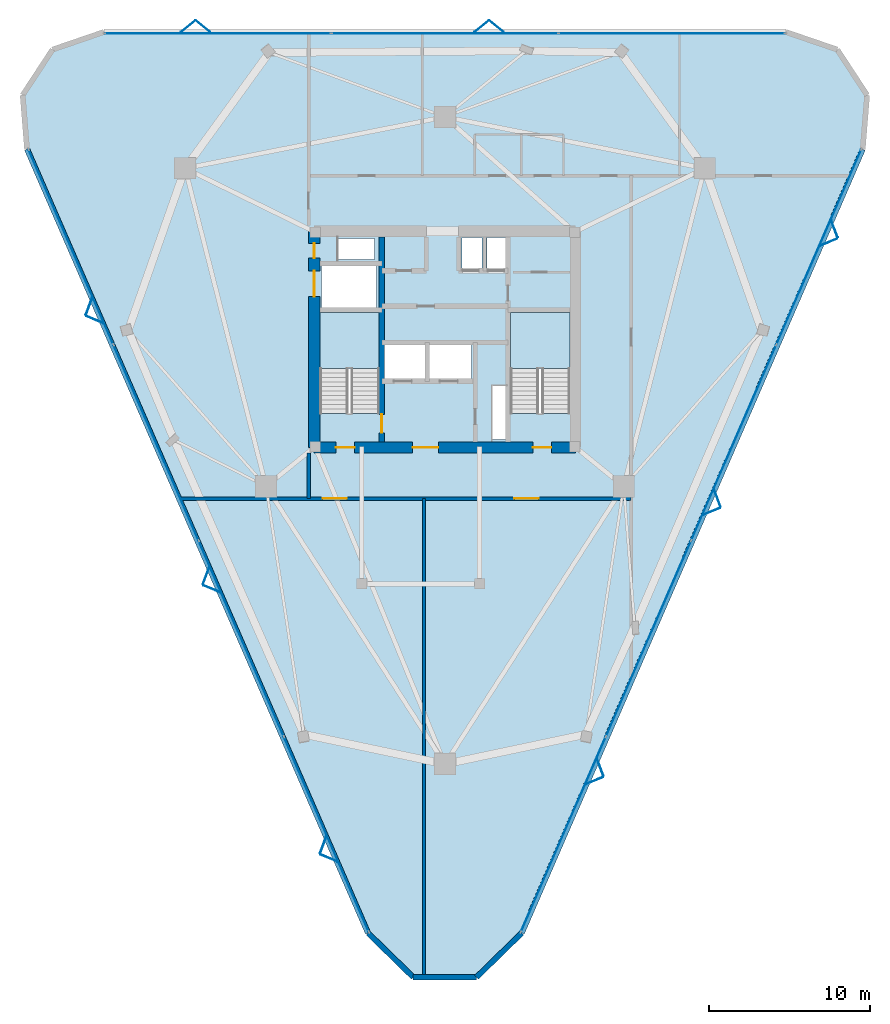
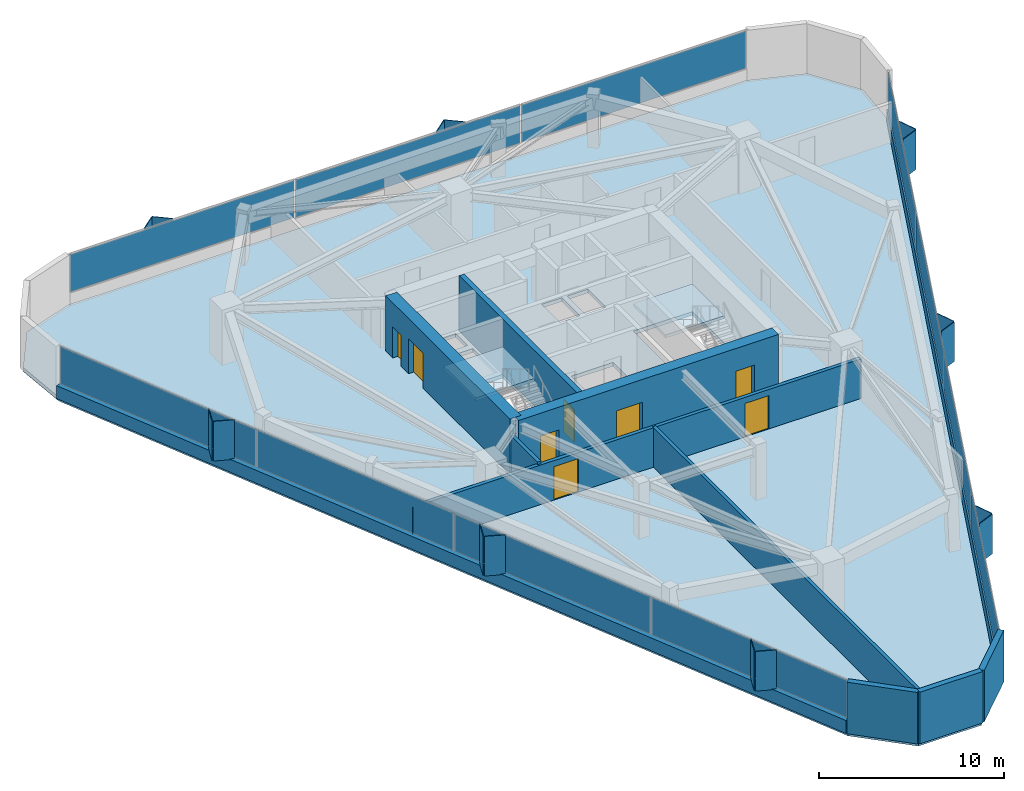
# One storey, part 9 of 12: 27 plates, 11 walls, 8 doors, 3 slabs, 8 openings, 5 elements without a shape of their own.
"""IFC4 building model written with IfcOpenShell, lengths in metres."""

from ifc_helpers import new_model, si_unit, direction, frame, frame_2d, origin, origin_2d, place, context, subcontext, project, spatial, polyline, rectangle, outline, extrude, material, layer, layer_set, type_object, element, fill, aggregate, save


model = new_model("IFC4")

# Units and contexts
model_context = context("Model", 3, precision=1e-05, world=origin(), true_north=direction((0.0, 1.0)))
body_context = subcontext(model_context, "Body", "Model", "MODEL_VIEW")
ifc_project = project(units=[si_unit("LENGTHUNIT", "METRE"), si_unit("AREAUNIT", "SQUARE_METRE"), si_unit("VOLUMEUNIT", "CUBIC_METRE"), si_unit("PLANEANGLEUNIT", "RADIAN"), si_unit("MASSUNIT", "GRAM", prefix="KILO")], contexts=[model_context])

# Site, building, storey
site_placement = place(None, origin())
site = spatial("IfcSite", under=ifc_project, at=site_placement, CompositionType="ELEMENT")
building_placement = place(site_placement, origin())
building = spatial("IfcBuilding", under=site, at=building_placement, Name="Talyreon Biosciences Tower", CompositionType="ELEMENT")
storey_placement = place(building_placement, frame((0.0, 0.0, 194.0)))
storey = spatial("IfcBuildingStorey", under=building, at=storey_placement, Name="L51", CompositionType="ELEMENT", Elevation=194.0)

# Curtain wall, plates
ifc_material_1 = material(Name="Thermally broken aluminium and low-E glazing", Category="aluminium")
ifc_layer_1 = layer(ifc_material_1, 0.179931640625)
ifc_layer_set_1 = layer_set([ifc_layer_1], Name="Thermally broken aluminium and low-E glazing")
curtain_wall_type = type_object("IfcCurtainWallType", Name="CurtainWall_Zone4Optical", PredefinedType="NOTDEFINED", material=ifc_layer_set_1)
curtain_wall_1_placement = place(storey_placement, origin())
curtain_wall_1 = element("IfcCurtainWall", 1, at=curtain_wall_1_placement, inside=storey, type_object=curtain_wall_type, Name="L51 Unitised Curtain Wall FCW-L51-00", PredefinedType="NOTDEFINED")
ifc_material_2 = material(Name="Triple-silver low-E insulated glazing", Category="glass")
ifc_layer_2 = layer(ifc_material_2, 0.031982421875)
ifc_layer_set_2 = layer_set([ifc_layer_2], Name="Triple-silver low-E insulated glazing")
plate_type_1 = type_object("IfcPlateType", Name="CWGlazingPanel_32", PredefinedType="CURTAIN_PANEL", material=ifc_layer_set_2)
plate_1_placement = place(storey_placement, frame((58.656982421875, 37.31640625, 0.875), z_axis=(0.0, 0.0, 1.0), x_axis=(-0.398862148946, 0.917010897502, 0.0)))
plate_1 = element("IfcPlate", 2, at=plate_1_placement, type_object=plate_type_1, Name="CW5 panel 1.1", PredefinedType="CURTAIN_PANEL", context=body_context, shape_type="SweptSolid", body=[
    extrude(rectangle(XDim=13.14697265625, YDim=0.031982421875, at=origin_2d()), origin(), (0.0, 0.0, 1.0), 2.4599609375),
])
plate_2_placement = place(storey_placement, frame((53.380859375, 49.44677734375, 0.875), z_axis=(0.0, 0.0, 1.0), x_axis=(-0.398862148946, 0.917010897502, 0.0)))
plate_2 = element("IfcPlate", 3, at=plate_2_placement, type_object=plate_type_1, Name="CW5 panel 2.1", PredefinedType="CURTAIN_PANEL", context=body_context, shape_type="SweptSolid", body=[
    extrude(rectangle(XDim=13.179443359375, YDim=0.031982421875, at=origin_2d()), origin(), (0.0, 0.0, 1.0), 2.4599609375),
])
plate_3_placement = place(storey_placement, frame((48.09814453125, 61.592041015625, 0.875), z_axis=(0.0, 0.0, 1.0), x_axis=(-0.398862148946, 0.917010897502, 0.0)))
plate_3 = element("IfcPlate", 4, at=plate_3_placement, type_object=plate_type_1, Name="CW5 panel 3.1", PredefinedType="CURTAIN_PANEL", context=body_context, shape_type="SweptSolid", body=[
    extrude(rectangle(XDim=13.179443359375, YDim=0.031982421875, at=origin_2d()), origin(), (0.0, 0.0, 1.0), 2.4599609375),
])
plate_4_placement = place(storey_placement, frame((42.822021484375, 73.722412109375, 0.875), z_axis=(0.0, 0.0, 1.0), x_axis=(-0.398862148946, 0.917010897502, 0.0)))
plate_4 = element("IfcPlate", 5, at=plate_4_placement, type_object=plate_type_1, Name="CW5 panel 4.1", PredefinedType="CURTAIN_PANEL", context=body_context, shape_type="SweptSolid", body=[
    extrude(rectangle(XDim=13.14697265625, YDim=0.031982421875, at=origin_2d()), origin(), (0.0, 0.0, 1.0), 2.4599609375),
])
aggregate(curtain_wall_1, [plate_1, plate_2, plate_3, plate_4])

curtain_wall_2_placement = place(storey_placement, origin())
curtain_wall_2 = element("IfcCurtainWall", 6, at=curtain_wall_2_placement, inside=storey, type_object=curtain_wall_type, Name="L51 Unitised Curtain Wall FCW-L51-04", PredefinedType="NOTDEFINED")
plate_5_placement = place(storey_placement, frame((51.92919921875, 86.971923828125, 0.875), z_axis=(0.0, 0.0, 1.0), x_axis=(1.0, 0.0, 0.0)))
plate_5 = element("IfcPlate", 7, at=plate_5_placement, type_object=plate_type_1, Name="CW5 panel 1.1", PredefinedType="CURTAIN_PANEL", context=body_context, shape_type="SweptSolid", body=[
    extrude(rectangle(XDim=13.98974609375, YDim=0.031982421875, at=origin_2d()), origin(), (0.0, 0.0, 1.0), 2.4599609375),
])
plate_6_placement = place(storey_placement, frame((66.0, 86.971923828125, 0.875), z_axis=(0.0, 0.0, 1.0), x_axis=(1.0, 0.0, 0.0)))
plate_6 = element("IfcPlate", 8, at=plate_6_placement, type_object=plate_type_1, Name="CW5 panel 2.1", PredefinedType="CURTAIN_PANEL", context=body_context, shape_type="SweptSolid", body=[
    extrude(rectangle(XDim=14.022216796875, YDim=0.031982421875, at=origin_2d()), origin(), (0.0, 0.0, 1.0), 2.4599609375),
])
plate_7_placement = place(storey_placement, frame((80.071044921875, 86.971923828125, 0.875), z_axis=(0.0, 0.0, 1.0), x_axis=(1.0, 0.0, 0.0)))
plate_7 = element("IfcPlate", 9, at=plate_7_placement, type_object=plate_type_1, Name="CW5 panel 3.1", PredefinedType="CURTAIN_PANEL", context=body_context, shape_type="SweptSolid", body=[
    extrude(rectangle(XDim=13.98974609375, YDim=0.031982421875, at=origin_2d()), origin(), (0.0, 0.0, 1.0), 2.4599609375),
])
aggregate(curtain_wall_2, [plate_5, plate_6, plate_7])

curtain_wall_3_placement = place(storey_placement, origin())
curtain_wall_3 = element("IfcCurtainWall", 10, at=curtain_wall_3_placement, inside=storey, type_object=curtain_wall_type, Name="L51 Unitised Curtain Wall FCW-L51-08", PredefinedType="NOTDEFINED")
plate_8_placement = place(storey_placement, frame((89.177978515625, 73.722412109375, 0.875), z_axis=(0.0, 0.0, 1.0), x_axis=(-0.398862148946, -0.917010897502, 0.0)))
plate_8 = element("IfcPlate", 11, at=plate_8_placement, type_object=plate_type_1, Name="CW5 panel 1.1", PredefinedType="CURTAIN_PANEL", context=body_context, shape_type="SweptSolid", body=[
    extrude(rectangle(XDim=13.14697265625, YDim=0.031982421875, at=origin_2d()), origin(), (0.0, 0.0, 1.0), 2.4599609375),
])
plate_9_placement = place(storey_placement, frame((83.90185546875, 61.592041015625, 0.875), z_axis=(0.0, 0.0, 1.0), x_axis=(-0.398862148946, -0.917010897502, 0.0)))
plate_9 = element("IfcPlate", 12, at=plate_9_placement, type_object=plate_type_1, Name="CW5 panel 2.1", PredefinedType="CURTAIN_PANEL", context=body_context, shape_type="SweptSolid", body=[
    extrude(rectangle(XDim=13.179443359375, YDim=0.031982421875, at=origin_2d()), origin(), (0.0, 0.0, 1.0), 2.4599609375),
])
plate_10_placement = place(storey_placement, frame((78.619140625, 49.44677734375, 0.875), z_axis=(0.0, 0.0, 1.0), x_axis=(-0.398862148946, -0.917010897502, 0.0)))
plate_10 = element("IfcPlate", 13, at=plate_10_placement, type_object=plate_type_1, Name="CW5 panel 3.1", PredefinedType="CURTAIN_PANEL", context=body_context, shape_type="SweptSolid", body=[
    extrude(rectangle(XDim=13.179443359375, YDim=0.031982421875, at=origin_2d()), origin(), (0.0, 0.0, 1.0), 2.4599609375),
])
plate_11_placement = place(storey_placement, frame((73.343017578125, 37.31640625, 0.875), z_axis=(0.0, 0.0, 1.0), x_axis=(-0.398862148946, -0.917010897502, 0.0)))
plate_11 = element("IfcPlate", 14, at=plate_11_placement, type_object=plate_type_1, Name="CW5 panel 4.1", PredefinedType="CURTAIN_PANEL", context=body_context, shape_type="SweptSolid", body=[
    extrude(rectangle(XDim=13.14697265625, YDim=0.031982421875, at=origin_2d()), origin(), (0.0, 0.0, 1.0), 2.4599609375),
])
aggregate(curtain_wall_3, [plate_8, plate_9, plate_10, plate_11])

# Slab
ifc_material_3 = material(Name="Concrete C40/50", Category="concrete")
ifc_layer_3 = layer(ifc_material_3, 0.25)
ifc_layer_set_3 = layer_set([ifc_layer_3], Name="Concrete C40/50")
slab_type_1 = type_object("IfcSlabType", Name="DryLabFloorSlab_250", PredefinedType="FLOOR", material=ifc_layer_set_3)
slab_1_placement = place(storey_placement, frame((0.0, 0.0, -0.25)))
element("IfcSlab", 15, at=slab_1_placement, inside=storey, type_object=slab_type_1, Name="L51 Structural Floor Slab", PredefinedType="FLOOR", context=body_context, shape_type="SweptSolid", body=[
    extrude(outline(polyline([(61.2314453125, 31.197021484375), (40.100830078125, 79.778076171875), (39.8310546875, 83.138916015625), (41.6796875, 85.958984375), (44.869384765625, 87.052001953125), (87.130859375, 87.052001953125), (90.3203125, 85.958984375), (92.1689453125, 83.138916015625), (91.899169921875, 79.778076171875), (70.7685546875, 31.197021484375), (67.9619140625, 28.455322265625), (64.0380859375, 28.455322265625), (61.2314453125, 31.197021484375)]), holes=[polyline([(69.820068359375, 65.10009765625), (69.820068359375, 61.800048828125), (68.9599609375, 61.800048828125), (68.9599609375, 65.10009765625), (69.820068359375, 65.10009765625)]), polyline([(61.929931640625, 69.64990234375), (61.929931640625, 63.407958984375), (58.25, 63.407958984375), (58.25, 69.64990234375), (61.929931640625, 69.64990234375)]), polyline([(73.75, 69.64990234375), (73.75, 63.407958984375), (70.070068359375, 63.407958984375), (70.070068359375, 69.64990234375), (73.75, 69.64990234375)]), polyline([(64.800048828125, 67.64990234375), (64.800048828125, 65.550048828125), (62.199951171875, 65.550048828125), (62.199951171875, 67.64990234375), (64.800048828125, 67.64990234375)]), polyline([(67.64990234375, 67.64990234375), (67.64990234375, 65.550048828125), (65.050048828125, 65.550048828125), (65.050048828125, 67.64990234375), (67.64990234375, 67.64990234375)]), polyline([(61.75, 72.550048828125), (61.75, 69.97998046875), (58.35009765625, 69.97998046875), (58.35009765625, 72.550048828125), (61.75, 72.550048828125)]), polyline([(68.300048828125, 74.300048828125), (68.300048828125, 72.35009765625), (67.050048828125, 72.35009765625), (67.050048828125, 74.300048828125), (68.300048828125, 74.300048828125)]), polyline([(69.919921875, 72.35009765625), (68.6201171875, 72.35009765625), (68.6201171875, 74.300048828125), (69.919921875, 74.300048828125), (69.919921875, 72.35009765625)]), polyline([(61.64990234375, 72.9599609375), (59.39990234375, 72.9599609375), (59.39990234375, 74.25), (61.64990234375, 74.25), (61.64990234375, 72.9599609375)])]), origin(), (0.0, 0.0, 1.0), 0.25),
])

# Plates
ifc_material_4 = material(Name="Ivory GFRC sunshade panel", Category="concrete")
ifc_layer_4 = layer(ifc_material_4, 0.044921875)
ifc_layer_set_4 = layer_set([ifc_layer_4], Name="Ivory GFRC sunshade panel")
plate_type_2 = type_object("IfcPlateType", Name="FoldedVSunshade_NorthFace_SUNSHADE", PredefinedType="USERDEFINED", material=ifc_layer_set_4)
for number, where, z_axis, x_axis, name in (
    (16, (50.08935546875, 87.412109375, 0.7900390625), (0.0, 0.0, 1.0), (0.771624583388, 0.636078220278, 0.0), "L51 Folded V-Sunshade Panel 04.01L"),
    (17, (50.9892578125, 87.412109375, 0.7900390625), (0.0, 0.0, 1.0), (0.771624583388, -0.636078220278, 0.0), "L51 Folded V-Sunshade Panel 04.01R"),
    (18, (68.289306640625, 87.412109375, 0.7900390625), (0.0, 0.0, 1.0), (0.771624583388, 0.636078220278, 0.0), "L51 Folded V-Sunshade Panel 04.02L"),
    (19, (69.189208984375, 87.412109375, 0.7900390625), (0.0, 0.0, 1.0), (0.771624583388, -0.636078220278, 0.0), "L51 Folded V-Sunshade Panel 04.02R"),
):
    element("IfcPlate", number, at=place(storey_placement, frame(where, z_axis=z_axis, x_axis=x_axis)), inside=storey, type_object=plate_type_2, Name=name, ObjectType="SUNSHADE", PredefinedType="USERDEFINED", context=body_context, shape_type="SweptSolid", body=[
        extrude(rectangle(XDim=1.14990234375, YDim=0.044921875, at=origin_2d()), origin(), (0.0, 0.0, 1.0), 2.610107421875),
    ])
ifc_layer_5 = layer(ifc_material_4, 0.044921875)
ifc_layer_set_5 = layer_set([ifc_layer_5], Name="Ivory GFRC sunshade panel")
plate_type_3 = type_object("IfcPlateType", Name="FoldedVSunshade_SunFace_SUNSHADE", PredefinedType="USERDEFINED", material=ifc_layer_set_5)
for number, where, z_axis, x_axis, name in (
    (20, (58.8193359375, 35.84033203125, 0.7900390625), (0.0, 0.0, 1.0), (-0.923926279217, 0.382570556331, 0.0), "L51 Folded V-Sunshade Panel 00.01L"),
    (21, (58.460205078125, 36.66552734375, 0.7900390625), (0.0, 0.0, 1.0), (0.35009294255, 0.936714968161, 0.0), "L51 Folded V-Sunshade Panel 00.01R"),
    (22, (51.56005859375, 52.52978515625, 0.7900390625), (0.0, 0.0, 1.0), (-0.923926279217, 0.382570556331, 0.0), "L51 Folded V-Sunshade Panel 00.02L"),
    (23, (51.200927734375, 53.355224609375, 0.7900390625), (0.0, 0.0, 1.0), (0.35009294255, 0.936714968161, 0.0), "L51 Folded V-Sunshade Panel 00.02R"),
    (24, (44.30078125, 69.219482421875, 0.7900390625), (0.0, 0.0, 1.0), (-0.923926279217, 0.382570556331, 0.0), "L51 Folded V-Sunshade Panel 00.03L"),
    (25, (43.94189453125, 70.044921875, 0.7900390625), (0.0, 0.0, 1.0), (0.35009294255, 0.936714968161, 0.0), "L51 Folded V-Sunshade Panel 00.03R"),
    (26, (90.147216796875, 74.84765625, 0.7900390625), (0.0, 0.0, 1.0), (0.35009294255, -0.936714968161, 0.0), "L51 Folded V-Sunshade Panel 08.01L"),
    (27, (89.788330078125, 74.022216796875, 0.7900390625), (0.0, 0.0, 1.0), (-0.923926279217, -0.382570556331, 0.0), "L51 Folded V-Sunshade Panel 08.01R"),
    (28, (82.887939453125, 58.157958984375, 0.7900390625), (0.0, 0.0, 1.0), (0.35009294255, -0.936714968161, 0.0), "L51 Folded V-Sunshade Panel 08.02L"),
    (29, (82.529052734375, 57.332763671875, 0.7900390625), (0.0, 0.0, 1.0), (-0.923926279217, -0.382570556331, 0.0), "L51 Folded V-Sunshade Panel 08.02R"),
    (30, (75.628662109375, 41.468505859375, 0.7900390625), (0.0, 0.0, 1.0), (0.35009294255, -0.936714968161, 0.0), "L51 Folded V-Sunshade Panel 08.03L"),
    (31, (75.269775390625, 40.64306640625, 0.7900390625), (0.0, 0.0, 1.0), (-0.923926279217, -0.382570556331, 0.0), "L51 Folded V-Sunshade Panel 08.03R"),
):
    element("IfcPlate", number, at=place(storey_placement, frame(where, z_axis=z_axis, x_axis=x_axis)), inside=storey, type_object=plate_type_3, Name=name, ObjectType="SUNSHADE", PredefinedType="USERDEFINED", context=body_context, shape_type="SweptSolid", body=[
        extrude(rectangle(XDim=1.14990234375, YDim=0.044921875, at=origin_2d()), origin(), (0.0, 0.0, 1.0), 2.610107421875),
    ])

# Stair, slab
stair_type = type_object("IfcStairType", Name="DoglegEscapeStair_3650", PredefinedType="HALF_TURN_STAIR", material=ifc_material_3)
stair_1_placement = place(storey_placement, origin())
stair_1 = element("IfcStair", 32, at=stair_1_placement, inside=storey, type_object=stair_type, Name="L51 Core Escape Stair 1", PredefinedType="HALF_TURN_STAIR")
ifc_layer_6 = layer(ifc_material_3, 0.199951171875)
ifc_layer_set_6 = layer_set([ifc_layer_6], Name="Concrete C40/50")
slab_type_2 = type_object("IfcSlabType", Name="StairLandingSlab_200", PredefinedType="LANDING", material=ifc_layer_set_6)
slab_2_placement = place(storey_placement, frame((0.0, 0.0, 1.625)))
slab_2 = element("IfcSlab", 33, at=slab_2_placement, type_object=slab_type_2, Name="ST-1 landing 1", PredefinedType="LANDING", context=body_context, shape_type="SweptSolid", body=[
    extrude(outline(polyline([(61.929931640625, 66.199951171875), (61.929931640625, 69.64990234375), (58.25, 69.64990234375), (58.25, 66.199951171875), (61.929931640625, 66.199951171875)])), origin(), (0.0, 0.0, 1.0), 0.199951171875),
])
aggregate(stair_1, [slab_2])

stair_2_placement = place(storey_placement, origin())
stair_2 = element("IfcStair", 34, at=stair_2_placement, inside=storey, type_object=stair_type, Name="L51 Core Escape Stair 2", PredefinedType="HALF_TURN_STAIR")
slab_3_placement = place(storey_placement, frame((0.0, 0.0, 1.625)))
slab_3 = element("IfcSlab", 35, at=slab_3_placement, type_object=slab_type_2, Name="ST-2 landing 1", PredefinedType="LANDING", context=body_context, shape_type="SweptSolid", body=[
    extrude(outline(polyline([(73.75, 66.199951171875), (73.75, 69.64990234375), (70.070068359375, 69.64990234375), (70.070068359375, 66.199951171875), (73.75, 66.199951171875)])), origin(), (0.0, 0.0, 1.0), 0.199951171875),
])
aggregate(stair_2, [slab_3])

# Wall
ifc_material_5 = material(Name="Gypsum fireboard acoustic stud", Category="gypsum")
ifc_layer_7 = layer(ifc_material_5, 0.199951171875)
ifc_layer_set_7 = layer_set([ifc_layer_7], Name="Gypsum fireboard acoustic stud")
wall_type_1 = type_object("IfcWallType", Name="ChemControlPartition_200", PredefinedType="PARTITIONING", material=ifc_layer_set_7)
wall_1_placement = place(storey_placement, frame((64.7099609375, 28.540283203125, 0.0), z_axis=(0.0, 0.0, 1.0), x_axis=(0.0, 1.0, 0.0)))
element("IfcWall", 36, at=wall_1_placement, inside=storey, type_object=wall_type_1, Name="L51 Interior Wall IW-L51-SDIV1", PredefinedType="PARTITIONING", context=body_context, shape_type="SweptSolid", body=[
    extrude(rectangle(XDim=29.589599609375, YDim=0.199951171875, at=frame_2d((14.794921875, 0.0))), origin(), (0.0, 0.0, 1.0), 2.60009765625),
])

# Wall, opening, door
ifc_material_6 = material(Name="Concrete C50/60", Category="concrete")
ifc_layer_8 = layer(ifc_material_6, 0.320068359375)
ifc_layer_set_8 = layer_set([ifc_layer_8], Name="Concrete C50/60")
wall_type_2 = type_object("IfcWallType", Name="CoreShearWall_320", PredefinedType="SHEAR", material=ifc_layer_set_8)
wall_2_placement = place(storey_placement, frame((62.090087890625, 61.64990234375, 0.0), z_axis=(0.0, 0.0, 1.0), x_axis=(0.0, 1.0, 0.0)))
wall_2 = element("IfcWall", 37, at=wall_2_placement, inside=storey, type_object=wall_type_2, Name="L51 Core Shaft Wall SW1E", PredefinedType="SHEAR", context=body_context, shape_type="SweptSolid", body=[
    extrude(rectangle(XDim=12.7001953125, YDim=0.320068359375, at=frame_2d((6.35009765625, 0.0))), origin(), (0.0, 0.0, 1.0), 3.64990234375),
])
opening_1_placement = place(wall_2_placement, frame((0.550048828125, 0.0, 0.0)))
opening_1 = element("IfcOpeningElement", 38, at=opening_1_placement, cuts=wall_2, Name="Opening DR-L51-FF-ST1", PredefinedType="OPENING", context=body_context, shape_type="SweptSolid", body=[
    extrude(rectangle(XDim=1.14990234375, YDim=2.14990234375, at=frame_2d((0.574951171875, 1.074951171875))), frame((0.0, 0.169921875, 0.0), z_axis=(0.0, -1.0, 0.0), x_axis=(1.0, 0.0, 0.0)), (0.0, 0.0, 1.0), 0.340087890625),
])
ifc_material_7 = material(Name="Painted steel fire door", Category="steel")
door_type_1 = type_object("IfcDoorType", Name="StairShaftFireDoor_1150x2150", OperationType="NOTDEFINED", PredefinedType="DOOR", material=ifc_material_7)
door_1_placement = place(opening_1_placement, origin())
door_1 = element("IfcDoor", 39, at=door_1_placement, inside=storey, type_object=door_type_1, Name="L51 Core Door DR-L51-FF-ST1", OperationType="SINGLE_SWING_LEFT", OverallHeight=2.14990234375, OverallWidth=1.14990234375, PredefinedType="DOOR", context=body_context, shape_type="SweptSolid", body=[
    extrude(rectangle(XDim=1.14990234375, YDim=2.14990234375, at=frame_2d((0.574951171875, 1.074951171875))), frame((0.0, 0.02490234375, 0.0), z_axis=(0.0, -1.0, 0.0), x_axis=(1.0, 0.0, 0.0)), (0.0, 0.0, 1.0), 0.050048828125),
])
fill(opening_1, door_1)

# Wall, openings, doors
ifc_layer_9 = layer(ifc_material_6, 0.699951171875)
ifc_layer_set_9 = layer_set([ifc_layer_9], Name="Concrete C50/60")
wall_type_3 = type_object("IfcWallType", Name="CoreShearWall_700", PredefinedType="SHEAR", material=ifc_layer_set_9)
wall_3_placement = place(storey_placement, frame((57.89990234375, 61.300048828125, 0.0), z_axis=(0.0, 0.0, 1.0), x_axis=(1.0, 0.0, 0.0)))
wall_3 = element("IfcWall", 40, at=wall_3_placement, inside=storey, type_object=wall_type_3, Name="L51 Core Shear Wall S", PredefinedType="SHEAR", context=body_context, shape_type="SweptSolid", body=[
    extrude(rectangle(XDim=16.2001953125, YDim=0.699951171875, at=frame_2d((8.10009765625, 0.0))), origin(), (0.0, 0.0, 1.0), 3.64990234375),
])
opening_2_placement = place(wall_3_placement, frame((1.35009765625, 0.0, 0.0)))
opening_2 = element("IfcOpeningElement", 41, at=opening_2_placement, cuts=wall_3, Name="Opening DR-L51-ST1", PredefinedType="OPENING", context=body_context, shape_type="SweptSolid", body=[
    extrude(rectangle(XDim=1.14990234375, YDim=2.14990234375, at=frame_2d((0.574951171875, 1.074951171875))), frame((0.0, 0.35986328125, 0.0), z_axis=(0.0, -1.0, 0.0), x_axis=(1.0, 0.0, 0.0)), (0.0, 0.0, 1.0), 0.719970703125),
])
opening_3_placement = place(wall_3_placement, frame((6.10009765625, 0.0, 0.0)))
opening_3 = element("IfcOpeningElement", 42, at=opening_3_placement, cuts=wall_3, Name="Opening DR-L51-FFL", PredefinedType="OPENING", context=body_context, shape_type="SweptSolid", body=[
    extrude(rectangle(XDim=1.60009765625, YDim=2.14990234375, at=frame_2d((0.800048828125, 1.074951171875))), frame((0.0, 0.35986328125, 0.0), z_axis=(0.0, -1.0, 0.0), x_axis=(1.0, 0.0, 0.0)), (0.0, 0.0, 1.0), 0.719970703125),
])
opening_4_placement = place(wall_3_placement, frame((13.550048828125, 0.0, 0.0)))
opening_4 = element("IfcOpeningElement", 43, at=opening_4_placement, cuts=wall_3, Name="Opening DR-L51-ST2", PredefinedType="OPENING", context=body_context, shape_type="SweptSolid", body=[
    extrude(rectangle(XDim=1.14990234375, YDim=2.14990234375, at=frame_2d((0.574951171875, 1.074951171875))), frame((0.0, 0.35986328125, 0.0), z_axis=(0.0, -1.0, 0.0), x_axis=(1.0, 0.0, 0.0)), (0.0, 0.0, 1.0), 0.719970703125),
])
ifc_material_8 = material(Name="Painted steel smoke-seal fire door", Category="steel")
door_type_2 = type_object("IfcDoorType", Name="FirefightingLobbyDoubleDoor_1600x2150", OperationType="DOUBLE_DOOR_SINGLE_SWING", PredefinedType="DOOR", material=ifc_material_8)
door_2_placement = place(opening_3_placement, origin())
door_2 = element("IfcDoor", 44, at=door_2_placement, inside=storey, type_object=door_type_2, Name="L51 Core Door DR-L51-FFL", OperationType="DOUBLE_DOOR_SINGLE_SWING", OverallHeight=2.14990234375, OverallWidth=1.60009765625, PredefinedType="DOOR", context=body_context, shape_type="SweptSolid", body=[
    extrude(rectangle(XDim=1.60009765625, YDim=2.14990234375, at=frame_2d((0.800048828125, 1.074951171875))), frame((0.0, 0.02490234375, 0.0), z_axis=(0.0, -1.0, 0.0), x_axis=(1.0, 0.0, 0.0)), (0.0, 0.0, 1.0), 0.050048828125),
])
fill(opening_3, door_2)
door_3_placement = place(opening_2_placement, origin())
door_3 = element("IfcDoor", 45, at=door_3_placement, inside=storey, type_object=door_type_1, Name="L51 Core Door DR-L51-ST1", OperationType="SINGLE_SWING_LEFT", OverallHeight=2.14990234375, OverallWidth=1.14990234375, PredefinedType="DOOR", context=body_context, shape_type="SweptSolid", body=[
    extrude(rectangle(XDim=1.14990234375, YDim=2.14990234375, at=frame_2d((0.574951171875, 1.074951171875))), frame((0.0, 0.02490234375, 0.0), z_axis=(0.0, -1.0, 0.0), x_axis=(1.0, 0.0, 0.0)), (0.0, 0.0, 1.0), 0.050048828125),
])
fill(opening_2, door_3)
door_4_placement = place(opening_4_placement, origin())
door_4 = element("IfcDoor", 46, at=door_4_placement, inside=storey, type_object=door_type_1, Name="L51 Core Door DR-L51-ST2", OperationType="SINGLE_SWING_RIGHT", OverallHeight=2.14990234375, OverallWidth=1.14990234375, PredefinedType="DOOR", context=body_context, shape_type="SweptSolid", body=[
    extrude(rectangle(XDim=1.14990234375, YDim=2.14990234375, at=frame_2d((0.574951171875, 1.074951171875))), frame((0.0, 0.02490234375, 0.0), z_axis=(0.0, -1.0, 0.0), x_axis=(1.0, 0.0, 0.0)), (0.0, 0.0, 1.0), 0.050048828125),
])
fill(opening_4, door_4)

wall_4_placement = place(storey_placement, frame((57.89990234375, 74.699951171875, 0.0), z_axis=(0.0, 0.0, 1.0), x_axis=(0.0, -1.0, 0.0)))
wall_4 = element("IfcWall", 47, at=wall_4_placement, inside=storey, type_object=wall_type_3, Name="L51 Core Shear Wall W", PredefinedType="SHEAR", context=body_context, shape_type="SweptSolid", body=[
    extrude(rectangle(XDim=13.39990234375, YDim=0.699951171875, at=frame_2d((6.699951171875, 0.0))), origin(), (0.0, 0.0, 1.0), 3.64990234375),
])
opening_5_placement = place(wall_4_placement, frame((0.75, 0.0, 0.0)))
opening_5 = element("IfcOpeningElement", 48, at=opening_5_placement, cuts=wall_4, Name="Opening DR-L51-RSW", PredefinedType="OPENING", context=body_context, shape_type="SweptSolid", body=[
    extrude(rectangle(XDim=0.919921875, YDim=2.050048828125, at=frame_2d((0.4599609375, 1.02490234375))), frame((0.0, 0.35986328125, 0.0), z_axis=(0.0, -1.0, 0.0), x_axis=(1.0, 0.0, 0.0)), (0.0, 0.0, 1.0), 0.719970703125),
])
opening_6_placement = place(wall_4_placement, frame((2.449951171875, 0.0, 0.0)))
opening_6 = element("IfcOpeningElement", 49, at=opening_6_placement, cuts=wall_4, Name="Opening LD-L51-GL1", PredefinedType="OPENING", context=body_context, shape_type="SweptSolid", body=[
    extrude(rectangle(XDim=1.60009765625, YDim=2.300048828125, at=frame_2d((0.800048828125, 1.14990234375))), frame((0.0, 0.35986328125, 0.0), z_axis=(0.0, -1.0, 0.0), x_axis=(1.0, 0.0, 0.0)), (0.0, 0.0, 1.0), 0.719970703125),
])
ifc_material_9 = material(Name="Heavy-duty stainless-steel goods lift door", Category="steel")
door_type_3 = type_object("IfcDoorType", Name="GoodsLiftSlidingDoor_1600x2300", OperationType="DOUBLE_DOOR_SLIDING", PredefinedType="DOOR", material=ifc_material_9)
door_5_placement = place(opening_6_placement, origin())
door_5 = element("IfcDoor", 50, at=door_5_placement, inside=storey, type_object=door_type_3, Name="L51 Core Door LD-L51-GL1", OperationType="DOUBLE_DOOR_SLIDING", OverallHeight=2.300048828125, OverallWidth=1.60009765625, PredefinedType="DOOR", context=body_context, shape_type="SweptSolid", body=[
    extrude(rectangle(XDim=1.60009765625, YDim=2.300048828125, at=frame_2d((0.800048828125, 1.14990234375))), frame((0.0, 0.02490234375, 0.0), z_axis=(0.0, -1.0, 0.0), x_axis=(1.0, 0.0, 0.0)), (0.0, 0.0, 1.0), 0.050048828125),
])
fill(opening_6, door_5)
ifc_material_10 = material(Name="Painted steel fire-rated riser door", Category="steel")
door_type_4 = type_object("IfcDoorType", Name="RiserPlantAccessDoor_920x2050", OperationType="NOTDEFINED", PredefinedType="DOOR", material=ifc_material_10)
door_6_placement = place(opening_5_placement, origin())
door_6 = element("IfcDoor", 51, at=door_6_placement, inside=storey, type_object=door_type_4, Name="L51 Core Door DR-L51-RSW", OperationType="SINGLE_SWING_LEFT", OverallHeight=2.050048828125, OverallWidth=0.919921875, PredefinedType="DOOR", context=body_context, shape_type="SweptSolid", body=[
    extrude(rectangle(XDim=0.919921875, YDim=2.050048828125, at=frame_2d((0.4599609375, 1.02490234375))), frame((0.0, 0.02490234375, 0.0), z_axis=(0.0, -1.0, 0.0), x_axis=(1.0, 0.0, 0.0)), (0.0, 0.0, 1.0), 0.050048828125),
])
fill(opening_5, door_6)

ifc_layer_10 = layer(ifc_material_5, 0.219970703125)
ifc_layer_set_10 = layer_set([ifc_layer_10], Name="Gypsum fireboard acoustic stud")
wall_type_4 = type_object("IfcWallType", Name="CorridorRatedPartition_220", PredefinedType="PARTITIONING", material=ifc_layer_set_10)
wall_5_placement = place(storey_placement, frame((49.609619140625, 58.1298828125, 0.0), z_axis=(0.0, 0.0, 1.0), x_axis=(1.0, 0.0, 0.0)))
wall_5 = element("IfcWall", 52, at=wall_5_placement, inside=storey, type_object=wall_type_4, Name="L51 Interior Wall IW-L51-COR-S", PredefinedType="PARTITIONING", context=body_context, shape_type="SweptSolid", body=[
    extrude(rectangle(XDim=27.9404296875, YDim=0.219970703125, at=frame_2d((13.97021484375, 0.0))), origin(), (0.0, 0.0, 1.0), 2.60009765625),
])
opening_7_placement = place(wall_5_placement, frame((8.81201171875, 0.0, 0.0)))
opening_7 = element("IfcOpeningElement", 53, at=opening_7_placement, cuts=wall_5, Name="Opening DR-L51-S1A", PredefinedType="OPENING", context=body_context, shape_type="SweptSolid", body=[
    extrude(rectangle(XDim=1.5, YDim=2.199951171875, at=frame_2d((0.75, 1.10009765625))), frame((0.0, 0.119873046875, 0.0), z_axis=(0.0, -1.0, 0.0), x_axis=(1.0, 0.0, 0.0)), (0.0, 0.0, 1.0), 0.239990234375),
])
opening_8_placement = place(wall_5_placement, frame((20.695068359375, 0.0, 0.0)))
opening_8 = element("IfcOpeningElement", 54, at=opening_8_placement, cuts=wall_5, Name="Opening DR-L51-S2A", PredefinedType="OPENING", context=body_context, shape_type="SweptSolid", body=[
    extrude(rectangle(XDim=1.5, YDim=2.199951171875, at=frame_2d((0.75, 1.10009765625))), frame((0.0, 0.119873046875, 0.0), z_axis=(0.0, -1.0, 0.0), x_axis=(1.0, 0.0, 0.0)), (0.0, 0.0, 1.0), 0.239990234375),
])
ifc_material_11 = material(Name="Vision-panel steel laboratory fire door", Category="steel")
door_type_5 = type_object("IfcDoorType", Name="WetLabDoubleLeafDoor_1500x2200", OperationType="DOUBLE_DOOR_SINGLE_SWING", PredefinedType="DOOR", material=ifc_material_11)
door_7_placement = place(opening_7_placement, origin())
door_7 = element("IfcDoor", 55, at=door_7_placement, inside=storey, type_object=door_type_5, Name="L51 Interior Door DR-L51-S1A", OperationType="DOUBLE_DOOR_SINGLE_SWING", OverallHeight=2.199951171875, OverallWidth=1.5, PredefinedType="DOOR", context=body_context, shape_type="SweptSolid", body=[
    extrude(rectangle(XDim=1.5, YDim=2.199951171875, at=frame_2d((0.75, 1.10009765625))), frame((0.0, 0.02490234375, 0.0), z_axis=(0.0, -1.0, 0.0), x_axis=(1.0, 0.0, 0.0)), (0.0, 0.0, 1.0), 0.050048828125),
])
fill(opening_7, door_7)
door_8_placement = place(opening_8_placement, origin())
door_8 = element("IfcDoor", 56, at=door_8_placement, inside=storey, type_object=door_type_5, Name="L51 Interior Door DR-L51-S2A", OperationType="DOUBLE_DOOR_SINGLE_SWING", OverallHeight=2.199951171875, OverallWidth=1.5, PredefinedType="DOOR", context=body_context, shape_type="SweptSolid", body=[
    extrude(rectangle(XDim=1.5, YDim=2.199951171875, at=frame_2d((0.75, 1.10009765625))), frame((0.0, 0.02490234375, 0.0), z_axis=(0.0, -1.0, 0.0), x_axis=(1.0, 0.0, 0.0)), (0.0, 0.0, 1.0), 0.050048828125),
])
fill(opening_8, door_8)

# Walls
wall_6_placement = place(storey_placement, frame((57.550048828125, 58.1298828125, 0.0), z_axis=(0.0, 0.0, 1.0), x_axis=(0.0, 1.0, 0.0)))
element("IfcWall", 57, at=wall_6_placement, inside=storey, type_object=wall_type_4, Name="L51 Interior Wall IW-L51-WCAP-S", PredefinedType="PARTITIONING", context=body_context, shape_type="SweptSolid", body=[
    extrude(rectangle(XDim=2.820068359375, YDim=0.219970703125, at=frame_2d((1.41015625, 0.0))), origin(), (0.0, 0.0, 1.0), 2.780029296875),
])
ifc_material_12 = material(Name="Precast concrete C45/55", Category="concrete")
ifc_layer_11 = layer(ifc_material_12, 0.340087890625)
ifc_layer_set_11 = layer_set([ifc_layer_11], Name="Precast concrete C45/55")
wall_type_5 = type_object("IfcWallType", Name="PrecastConcreteSpandrelWall_340", PredefinedType="STANDARD", material=ifc_layer_set_11)
for number, where, z_axis, x_axis, name in (
    (58, (61.2314453125, 31.197021484375, 0.0), (0.0, 0.0, 1.0), (-0.398859735494, 0.917011947251, 0.0), "L51 Expressed Concrete Sill Wall 00"),
    (59, (91.899169921875, 79.778076171875, 0.0), (0.0, 0.0, 1.0), (-0.398859735494, -0.917011947251, 0.0), "L51 Expressed Concrete Sill Wall 08"),
):
    element("IfcWall", number, at=place(storey_placement, frame(where, z_axis=z_axis, x_axis=x_axis)), inside=storey, type_object=wall_type_5, Name=name, PredefinedType="STANDARD", context=body_context, shape_type="SweptSolid", body=[
        extrude(rectangle(XDim=52.9775390625, YDim=0.340087890625, at=frame_2d((26.48876953125, 0.0))), origin(), (0.0, 0.0, 1.0), 0.85009765625),
    ])
wall_7_placement = place(storey_placement, frame((70.7685546875, 31.197021484375, 0.0), z_axis=(0.0, 0.0, 1.0), x_axis=(-0.71533422409, -0.698782475342, 0.0)))
element("IfcWall", 60, at=wall_7_placement, inside=storey, type_object=wall_type_5, Name="L51 Rounded-Corner Concrete Pier 09", PredefinedType="STANDARD", context=body_context, shape_type="SweptSolid", body=[
    extrude(rectangle(XDim=3.923583984375, YDim=0.340087890625, at=frame_2d((1.9619140625, 0.0))), origin(), (0.0, 0.0, 1.0), 3.39990234375),
])
wall_8_placement = place(storey_placement, frame((67.9619140625, 28.455322265625, 0.0), z_axis=(0.0, 0.0, 1.0), x_axis=(-1.0, 0.0, 0.0)))
element("IfcWall", 61, at=wall_8_placement, inside=storey, type_object=wall_type_5, Name="L51 Rounded-Corner Concrete Pier 10", PredefinedType="STANDARD", context=body_context, shape_type="SweptSolid", body=[
    extrude(rectangle(XDim=3.923828125, YDim=0.340087890625, at=frame_2d((1.9619140625, 0.0))), origin(), (0.0, 0.0, 1.0), 3.39990234375),
])
wall_9_placement = place(storey_placement, frame((64.0380859375, 28.455322265625, 0.0), z_axis=(0.0, 0.0, 1.0), x_axis=(-0.71533422409, 0.698782475342, 0.0)))
element("IfcWall", 62, at=wall_9_placement, inside=storey, type_object=wall_type_5, Name="L51 Rounded-Corner Concrete Pier 11", PredefinedType="STANDARD", context=body_context, shape_type="SweptSolid", body=[
    extrude(rectangle(XDim=3.923583984375, YDim=0.340087890625, at=frame_2d((1.9619140625, 0.0))), origin(), (0.0, 0.0, 1.0), 3.39990234375),
])

save(model, "model.ifc")
